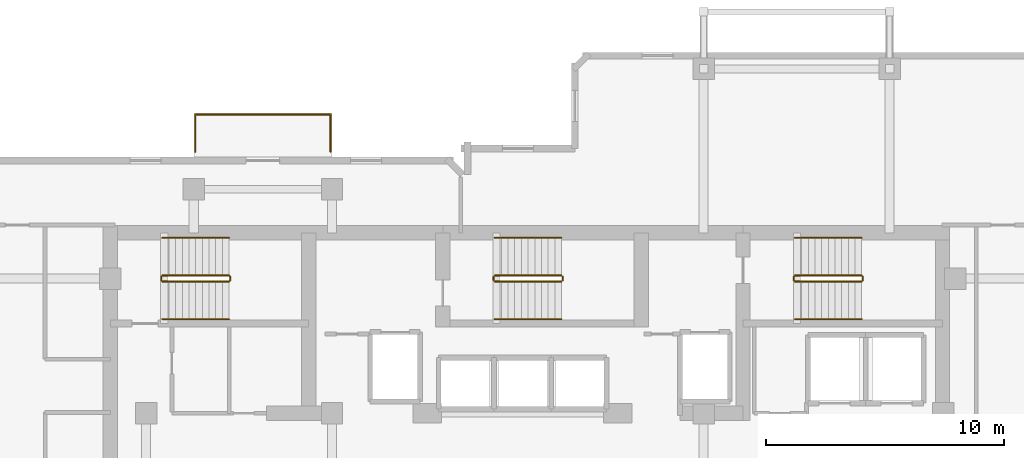
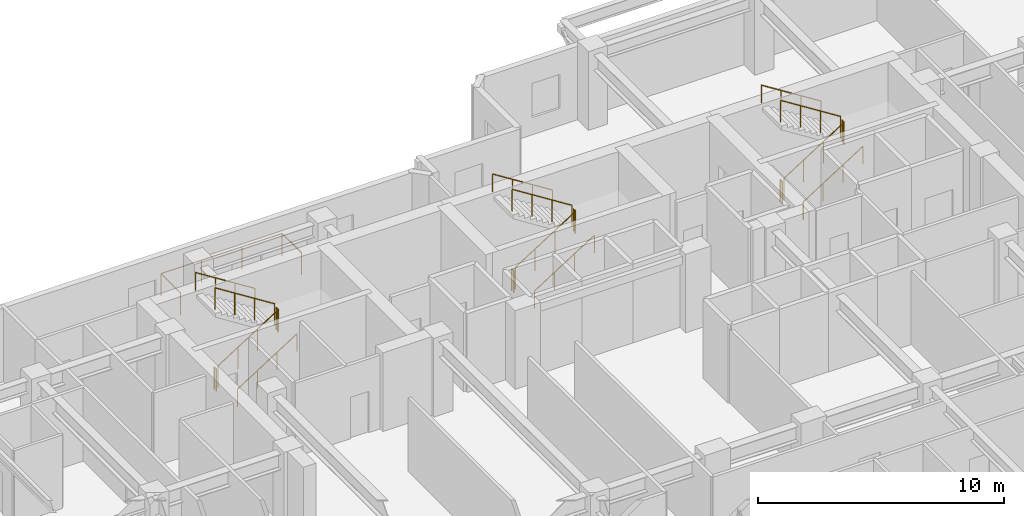
# One storey, part 10 of 10: 19 railings.
"""IFC4 building model written with IfcOpenShell, lengths in metres."""

from ifc_helpers import new_model, si_unit, direction, frame, origin, origin_2d, place, context, subcontext, project, spatial, circle, extrude, material, type_object, element, save


model = new_model("IFC4")

# Units and contexts
model_context = context("Model", 3, precision=1e-05, world=origin(), true_north=direction((0.0, 1.0)))
body_context = subcontext(model_context, "Body", "Model", "MODEL_VIEW")
ifc_project = project(units=[si_unit("LENGTHUNIT", "METRE"), si_unit("AREAUNIT", "SQUARE_METRE"), si_unit("VOLUMEUNIT", "CUBIC_METRE"), si_unit("PLANEANGLEUNIT", "RADIAN"), si_unit("MASSUNIT", "GRAM", prefix="KILO")], contexts=[model_context])

# Site, building, storey
site_placement = place(None, origin())
site = spatial("IfcSite", under=ifc_project, at=site_placement, CompositionType="ELEMENT")
building_placement = place(site_placement, origin())
building = spatial("IfcBuilding", under=site, at=building_placement, Name="Kestravale Grand Hotel", CompositionType="ELEMENT")
storey_placement = place(building_placement, frame((0.0, 0.0, 216.300048828125)))
storey = spatial("IfcBuildingStorey", under=building, at=storey_placement, Name="L54", CompositionType="ELEMENT", Elevation=216.300048828125)

# Railings
ifc_material_1 = material(Name="Champagne-bronze stainless steel and laminated glass guard", Category="steel")
railing_type_1 = type_object("IfcRailingType", Name="RL-EXT-1100", PredefinedType="GUARDRAIL", material=ifc_material_1)
railing_1_placement = place(storey_placement, frame((25.4599609375, 43.719970703125, 0.0)))
element("IfcRailing", 1, at=railing_1_placement, inside=storey, type_object=railing_type_1, Name="L54 outdoor terrace guard 1", PredefinedType="GUARDRAIL", context=body_context, shape_type="SweptSolid", body=[
    extrude(circle(Radius=0.02392578125, at=origin_2d()), frame((0.0, 0.0, 1.09619140625), z_axis=(0.0, 1.0, 0.0), x_axis=(-1.0, 0.0, 0.0)), (0.0, 0.0, 1.0), 1.570068359375),
    extrude(circle(Radius=0.02392578125, at=origin_2d()), frame((0.0, 1.570068359375, 1.09619140625), z_axis=(1.0, 0.0, 0.0), x_axis=(0.0, 1.0, 0.0)), (0.0, 0.0, 1.0), 5.679931640625),
    extrude(circle(Radius=0.02392578125, at=origin_2d()), frame((5.679931640625, 1.570068359375, 1.09619140625), z_axis=(0.0, -1.0, 0.0), x_axis=(1.0, 0.0, 0.0)), (0.0, 0.0, 1.0), 1.570068359375),
    extrude(circle(Radius=0.02099609375, at=origin_2d()), origin(), (0.0, 0.0, 1.0), 1.072021484375),
    extrude(circle(Radius=0.02099609375, at=origin_2d()), frame((0.0, 1.570068359375, 0.0)), (0.0, 0.0, 1.0), 1.072021484375),
    extrude(circle(Radius=0.02099609375, at=origin_2d()), frame((1.893310546875, 1.570068359375, 0.0)), (0.0, 0.0, 1.0), 1.072021484375),
    extrude(circle(Radius=0.02099609375, at=origin_2d()), frame((3.78662109375, 1.570068359375, 0.0)), (0.0, 0.0, 1.0), 1.072021484375),
    extrude(circle(Radius=0.02099609375, at=origin_2d()), frame((5.679931640625, 1.570068359375, 0.0)), (0.0, 0.0, 1.0), 1.072021484375),
    extrude(circle(Radius=0.02099609375, at=origin_2d()), frame((5.679931640625, 0.0, 0.0)), (0.0, 0.0, 1.0), 1.072021484375),
])
ifc_material_2 = material(Name="Painted tubular steel stair well guard", Category="steel")
railing_type_2 = type_object("IfcRailingType", Name="RL-ST-GRD1100", PredefinedType="GUARDRAIL", material=ifc_material_2)
railing_2_placement = place(storey_placement, frame((24.080078125, 38.280029296875, 0.17724609375)))
element("IfcRailing", 2, at=railing_2_placement, inside=storey, type_object=railing_type_2, Name="L54 ST-1 stair guard 1", PredefinedType="GUARDRAIL", context=body_context, shape_type="SweptSolid", body=[
    extrude(circle(Radius=0.02392578125, at=origin_2d()), frame((0.0, 0.0, 1.076171875), z_axis=(0.844887892834, 0.0, 0.53494340686), x_axis=(0.0, 1.0, 0.0)), (0.0, 0.0, 1.0), 3.313720703125),
    extrude(circle(Radius=0.02099609375, at=origin_2d()), origin(), (0.0, 0.0, 1.0), 1.052001953125),
    extrude(circle(Radius=0.02099609375, at=origin_2d()), frame((0.933349609375, 0.0, 0.5908203125)), (0.0, 0.0, 1.0), 1.052001953125),
    extrude(circle(Radius=0.02099609375, at=origin_2d()), frame((1.866455078125, 0.0, 1.181884765625)), (0.0, 0.0, 1.0), 1.052001953125),
    extrude(circle(Radius=0.02099609375, at=origin_2d()), frame((2.7998046875, 0.0, 1.772705078125)), (0.0, 0.0, 1.0), 1.052001953125),
])
railing_3_placement = place(storey_placement, frame((26.929931640625, 38.330078125, 1.949951171875)))
element("IfcRailing", 3, at=railing_3_placement, inside=storey, type_object=railing_type_2, Name="L54 ST-1 stair guard 2", PredefinedType="GUARDRAIL", context=body_context, shape_type="SweptSolid", body=[
    extrude(circle(Radius=0.02392578125, at=origin_2d()), frame((0.0, 0.0, 1.076171875), z_axis=(0.0, 1.0, 0.0), x_axis=(-1.0, 0.0, 0.0)), (0.0, 0.0, 1.0), 0.14990234375),
    extrude(circle(Radius=0.02099609375, at=origin_2d()), origin(), (0.0, 0.0, 1.0), 1.052001953125),
    extrude(circle(Radius=0.02099609375, at=origin_2d()), frame((0.0, 0.14990234375, 0.0)), (0.0, 0.0, 1.0), 1.052001953125),
])
railing_4_placement = place(storey_placement, frame((26.8798828125, 38.530029296875, 2.127197265625)))
element("IfcRailing", 4, at=railing_4_placement, inside=storey, type_object=railing_type_2, Name="L54 ST-1 stair guard 3", PredefinedType="GUARDRAIL", context=body_context, shape_type="SweptSolid", body=[
    extrude(circle(Radius=0.02392578125, at=origin_2d()), frame((0.0, 0.0, 1.076171875), z_axis=(-0.844887892834, 0.0, 0.53494340686), x_axis=(0.0, -1.0, 0.0)), (0.0, 0.0, 1.0), 3.313720703125),
    extrude(circle(Radius=0.02099609375, at=origin_2d()), origin(), (0.0, 0.0, 1.0), 1.052001953125),
    extrude(circle(Radius=0.02099609375, at=origin_2d()), frame((-0.933349609375, 0.0, 0.5908203125)), (0.0, 0.0, 1.0), 1.052001953125),
    extrude(circle(Radius=0.02099609375, at=origin_2d()), frame((-1.866455078125, 0.0, 1.181884765625)), (0.0, 0.0, 1.0), 1.052001953125),
    extrude(circle(Radius=0.02099609375, at=origin_2d()), frame((-2.7998046875, 0.0, 1.772705078125)), (0.0, 0.0, 1.0), 1.052001953125),
])
railing_5_placement = place(storey_placement, frame((24.030029296875, 38.330078125, 0.0)))
element("IfcRailing", 5, at=railing_5_placement, inside=storey, type_object=railing_type_2, Name="L54 ST-1 stair guard 4", PredefinedType="GUARDRAIL", context=body_context, shape_type="SweptSolid", body=[
    extrude(circle(Radius=0.02392578125, at=origin_2d()), frame((0.0, 0.0, 1.076171875), z_axis=(0.0, 1.0, 0.0), x_axis=(-1.0, 0.0, 0.0)), (0.0, 0.0, 1.0), 0.14990234375),
    extrude(circle(Radius=0.02099609375, at=origin_2d()), origin(), (0.0, 0.0, 1.0), 1.052001953125),
    extrude(circle(Radius=0.02099609375, at=origin_2d()), frame((0.0, 0.14990234375, 0.0)), (0.0, 0.0, 1.0), 1.052001953125),
])
railing_6_placement = place(storey_placement, frame((38.030029296875, 38.280029296875, 0.17724609375)))
element("IfcRailing", 6, at=railing_6_placement, inside=storey, type_object=railing_type_2, Name="L54 ST-2 stair guard 1", PredefinedType="GUARDRAIL", context=body_context, shape_type="SweptSolid", body=[
    extrude(circle(Radius=0.02392578125, at=origin_2d()), frame((0.0, 0.0, 1.076171875), z_axis=(0.844908973607, 0.0, 0.534910110503), x_axis=(0.0, 1.0, 0.0)), (0.0, 0.0, 1.0), 3.31396484375),
    extrude(circle(Radius=0.02099609375, at=origin_2d()), origin(), (0.0, 0.0, 1.0), 1.052001953125),
    extrude(circle(Radius=0.02099609375, at=origin_2d()), frame((0.933349609375, 0.0, 0.5908203125)), (0.0, 0.0, 1.0), 1.052001953125),
    extrude(circle(Radius=0.02099609375, at=origin_2d()), frame((1.86669921875, 0.0, 1.181884765625)), (0.0, 0.0, 1.0), 1.052001953125),
    extrude(circle(Radius=0.02099609375, at=origin_2d()), frame((2.800048828125, 0.0, 1.772705078125)), (0.0, 0.0, 1.0), 1.052001953125),
])
railing_7_placement = place(storey_placement, frame((40.8798828125, 38.330078125, 1.949951171875)))
element("IfcRailing", 7, at=railing_7_placement, inside=storey, type_object=railing_type_2, Name="L54 ST-2 stair guard 2", PredefinedType="GUARDRAIL", context=body_context, shape_type="SweptSolid", body=[
    extrude(circle(Radius=0.02392578125, at=origin_2d()), frame((0.0, 0.0, 1.076171875), z_axis=(0.0, 1.0, 0.0), x_axis=(-1.0, 0.0, 0.0)), (0.0, 0.0, 1.0), 0.14990234375),
    extrude(circle(Radius=0.02099609375, at=origin_2d()), origin(), (0.0, 0.0, 1.0), 1.052001953125),
    extrude(circle(Radius=0.02099609375, at=origin_2d()), frame((0.0, 0.14990234375, 0.0)), (0.0, 0.0, 1.0), 1.052001953125),
])
railing_8_placement = place(storey_placement, frame((40.830078125, 38.530029296875, 2.127197265625)))
element("IfcRailing", 8, at=railing_8_placement, inside=storey, type_object=railing_type_2, Name="L54 ST-2 stair guard 3", PredefinedType="GUARDRAIL", context=body_context, shape_type="SweptSolid", body=[
    extrude(circle(Radius=0.02392578125, at=origin_2d()), frame((0.0, 0.0, 1.076171875), z_axis=(-0.844908973607, 0.0, 0.534910110503), x_axis=(0.0, -1.0, 0.0)), (0.0, 0.0, 1.0), 3.31396484375),
    extrude(circle(Radius=0.02099609375, at=origin_2d()), origin(), (0.0, 0.0, 1.0), 1.052001953125),
    extrude(circle(Radius=0.02099609375, at=origin_2d()), frame((-0.933349609375, 0.0, 0.5908203125)), (0.0, 0.0, 1.0), 1.052001953125),
    extrude(circle(Radius=0.02099609375, at=origin_2d()), frame((-1.86669921875, 0.0, 1.181884765625)), (0.0, 0.0, 1.0), 1.052001953125),
    extrude(circle(Radius=0.02099609375, at=origin_2d()), frame((-2.800048828125, 0.0, 1.772705078125)), (0.0, 0.0, 1.0), 1.052001953125),
])
railing_9_placement = place(storey_placement, frame((37.97998046875, 38.330078125, 0.0)))
element("IfcRailing", 9, at=railing_9_placement, inside=storey, type_object=railing_type_2, Name="L54 ST-2 stair guard 4", PredefinedType="GUARDRAIL", context=body_context, shape_type="SweptSolid", body=[
    extrude(circle(Radius=0.02392578125, at=origin_2d()), frame((0.0, 0.0, 1.076171875), z_axis=(0.0, 1.0, 0.0), x_axis=(-1.0, 0.0, 0.0)), (0.0, 0.0, 1.0), 0.14990234375),
    extrude(circle(Radius=0.02099609375, at=origin_2d()), origin(), (0.0, 0.0, 1.0), 1.052001953125),
    extrude(circle(Radius=0.02099609375, at=origin_2d()), frame((0.0, 0.14990234375, 0.0)), (0.0, 0.0, 1.0), 1.052001953125),
])
railing_10_placement = place(storey_placement, frame((50.6298828125, 38.280029296875, 0.17724609375)))
element("IfcRailing", 10, at=railing_10_placement, inside=storey, type_object=railing_type_2, Name="L54 ST-3 stair guard 1", PredefinedType="GUARDRAIL", context=body_context, shape_type="SweptSolid", body=[
    extrude(circle(Radius=0.02392578125, at=origin_2d()), frame((0.0, 0.0, 1.076171875), z_axis=(0.844908973607, 0.0, 0.534910110503), x_axis=(0.0, 1.0, 0.0)), (0.0, 0.0, 1.0), 3.31396484375),
    extrude(circle(Radius=0.02099609375, at=origin_2d()), origin(), (0.0, 0.0, 1.0), 1.052001953125),
    extrude(circle(Radius=0.02099609375, at=origin_2d()), frame((0.933349609375, 0.0, 0.5908203125)), (0.0, 0.0, 1.0), 1.052001953125),
    extrude(circle(Radius=0.02099609375, at=origin_2d()), frame((1.86669921875, 0.0, 1.181884765625)), (0.0, 0.0, 1.0), 1.052001953125),
    extrude(circle(Radius=0.02099609375, at=origin_2d()), frame((2.800048828125, 0.0, 1.772705078125)), (0.0, 0.0, 1.0), 1.052001953125),
])
railing_11_placement = place(storey_placement, frame((53.47998046875, 38.330078125, 1.949951171875)))
element("IfcRailing", 11, at=railing_11_placement, inside=storey, type_object=railing_type_2, Name="L54 ST-3 stair guard 2", PredefinedType="GUARDRAIL", context=body_context, shape_type="SweptSolid", body=[
    extrude(circle(Radius=0.02392578125, at=origin_2d()), frame((0.0, 0.0, 1.076171875), z_axis=(0.0, 1.0, 0.0), x_axis=(-1.0, 0.0, 0.0)), (0.0, 0.0, 1.0), 0.14990234375),
    extrude(circle(Radius=0.02099609375, at=origin_2d()), origin(), (0.0, 0.0, 1.0), 1.052001953125),
    extrude(circle(Radius=0.02099609375, at=origin_2d()), frame((0.0, 0.14990234375, 0.0)), (0.0, 0.0, 1.0), 1.052001953125),
])
railing_12_placement = place(storey_placement, frame((53.429931640625, 38.530029296875, 2.127197265625)))
element("IfcRailing", 12, at=railing_12_placement, inside=storey, type_object=railing_type_2, Name="L54 ST-3 stair guard 3", PredefinedType="GUARDRAIL", context=body_context, shape_type="SweptSolid", body=[
    extrude(circle(Radius=0.02392578125, at=origin_2d()), frame((0.0, 0.0, 1.076171875), z_axis=(-0.844908973607, 0.0, 0.534910110503), x_axis=(0.0, -1.0, 0.0)), (0.0, 0.0, 1.0), 3.31396484375),
    extrude(circle(Radius=0.02099609375, at=origin_2d()), origin(), (0.0, 0.0, 1.0), 1.052001953125),
    extrude(circle(Radius=0.02099609375, at=origin_2d()), frame((-0.933349609375, 0.0, 0.5908203125)), (0.0, 0.0, 1.0), 1.052001953125),
    extrude(circle(Radius=0.02099609375, at=origin_2d()), frame((-1.86669921875, 0.0, 1.181884765625)), (0.0, 0.0, 1.0), 1.052001953125),
    extrude(circle(Radius=0.02099609375, at=origin_2d()), frame((-2.800048828125, 0.0, 1.772705078125)), (0.0, 0.0, 1.0), 1.052001953125),
])
railing_13_placement = place(storey_placement, frame((50.580078125, 38.330078125, 0.0)))
element("IfcRailing", 13, at=railing_13_placement, inside=storey, type_object=railing_type_2, Name="L54 ST-3 stair guard 4", PredefinedType="GUARDRAIL", context=body_context, shape_type="SweptSolid", body=[
    extrude(circle(Radius=0.02392578125, at=origin_2d()), frame((0.0, 0.0, 1.076171875), z_axis=(0.0, 1.0, 0.0), x_axis=(-1.0, 0.0, 0.0)), (0.0, 0.0, 1.0), 0.14990234375),
    extrude(circle(Radius=0.02099609375, at=origin_2d()), origin(), (0.0, 0.0, 1.0), 1.052001953125),
    extrude(circle(Radius=0.02099609375, at=origin_2d()), frame((0.0, 0.14990234375, 0.0)), (0.0, 0.0, 1.0), 1.052001953125),
])
ifc_material_3 = material(Name="Brushed stainless steel wall handrail", Category="steel")
railing_type_3 = type_object("IfcRailingType", Name="RL-ST-HND900", PredefinedType="HANDRAIL", material=ifc_material_3)
railing_14_placement = place(storey_placement, frame((24.080078125, 36.699951171875, 0.17724609375)))
element("IfcRailing", 14, at=railing_14_placement, inside=storey, type_object=railing_type_3, Name="L54 ST-1 stair handrail 1", PredefinedType="HANDRAIL", context=body_context, shape_type="SweptSolid", body=[
    extrude(circle(Radius=0.02392578125, at=origin_2d()), frame((0.0, 0.0, 0.8759765625), z_axis=(0.844887892834, 0.0, 0.53494340686), x_axis=(0.0, 1.0, 0.0)), (0.0, 0.0, 1.0), 3.313720703125),
    extrude(circle(Radius=0.02099609375, at=origin_2d()), origin(), (0.0, 0.0, 1.0), 0.851806640625),
    extrude(circle(Radius=0.02099609375, at=origin_2d()), frame((0.933349609375, 0.0, 0.5908203125)), (0.0, 0.0, 1.0), 0.851806640625),
    extrude(circle(Radius=0.02099609375, at=origin_2d()), frame((1.866455078125, 0.0, 1.181884765625)), (0.0, 0.0, 1.0), 0.851806640625),
    extrude(circle(Radius=0.02099609375, at=origin_2d()), frame((2.7998046875, 0.0, 1.772705078125)), (0.0, 0.0, 1.0), 0.851806640625),
])
railing_15_placement = place(storey_placement, frame((26.8798828125, 40.110107421875, 2.127197265625)))
element("IfcRailing", 15, at=railing_15_placement, inside=storey, type_object=railing_type_3, Name="L54 ST-1 stair handrail 2", PredefinedType="HANDRAIL", context=body_context, shape_type="SweptSolid", body=[
    extrude(circle(Radius=0.02392578125, at=origin_2d()), frame((0.0, 0.0, 0.8759765625), z_axis=(-0.844887892834, 0.0, 0.53494340686), x_axis=(0.0, -1.0, 0.0)), (0.0, 0.0, 1.0), 3.313720703125),
    extrude(circle(Radius=0.02099609375, at=origin_2d()), origin(), (0.0, 0.0, 1.0), 0.851806640625),
    extrude(circle(Radius=0.02099609375, at=origin_2d()), frame((-0.933349609375, 0.0, 0.5908203125)), (0.0, 0.0, 1.0), 0.851806640625),
    extrude(circle(Radius=0.02099609375, at=origin_2d()), frame((-1.866455078125, 0.0, 1.181884765625)), (0.0, 0.0, 1.0), 0.851806640625),
    extrude(circle(Radius=0.02099609375, at=origin_2d()), frame((-2.7998046875, 0.0, 1.772705078125)), (0.0, 0.0, 1.0), 0.851806640625),
])
railing_16_placement = place(storey_placement, frame((38.030029296875, 36.699951171875, 0.17724609375)))
element("IfcRailing", 16, at=railing_16_placement, inside=storey, type_object=railing_type_3, Name="L54 ST-2 stair handrail 1", PredefinedType="HANDRAIL", context=body_context, shape_type="SweptSolid", body=[
    extrude(circle(Radius=0.02392578125, at=origin_2d()), frame((0.0, 0.0, 0.8759765625), z_axis=(0.844908973607, 0.0, 0.534910110503), x_axis=(0.0, 1.0, 0.0)), (0.0, 0.0, 1.0), 3.31396484375),
    extrude(circle(Radius=0.02099609375, at=origin_2d()), origin(), (0.0, 0.0, 1.0), 0.851806640625),
    extrude(circle(Radius=0.02099609375, at=origin_2d()), frame((0.933349609375, 0.0, 0.5908203125)), (0.0, 0.0, 1.0), 0.851806640625),
    extrude(circle(Radius=0.02099609375, at=origin_2d()), frame((1.86669921875, 0.0, 1.181884765625)), (0.0, 0.0, 1.0), 0.851806640625),
    extrude(circle(Radius=0.02099609375, at=origin_2d()), frame((2.800048828125, 0.0, 1.772705078125)), (0.0, 0.0, 1.0), 0.851806640625),
])
railing_17_placement = place(storey_placement, frame((40.830078125, 40.110107421875, 2.127197265625)))
element("IfcRailing", 17, at=railing_17_placement, inside=storey, type_object=railing_type_3, Name="L54 ST-2 stair handrail 2", PredefinedType="HANDRAIL", context=body_context, shape_type="SweptSolid", body=[
    extrude(circle(Radius=0.02392578125, at=origin_2d()), frame((0.0, 0.0, 0.8759765625), z_axis=(-0.844908973607, 0.0, 0.534910110503), x_axis=(0.0, -1.0, 0.0)), (0.0, 0.0, 1.0), 3.31396484375),
    extrude(circle(Radius=0.02099609375, at=origin_2d()), origin(), (0.0, 0.0, 1.0), 0.851806640625),
    extrude(circle(Radius=0.02099609375, at=origin_2d()), frame((-0.933349609375, 0.0, 0.5908203125)), (0.0, 0.0, 1.0), 0.851806640625),
    extrude(circle(Radius=0.02099609375, at=origin_2d()), frame((-1.86669921875, 0.0, 1.181884765625)), (0.0, 0.0, 1.0), 0.851806640625),
    extrude(circle(Radius=0.02099609375, at=origin_2d()), frame((-2.800048828125, 0.0, 1.772705078125)), (0.0, 0.0, 1.0), 0.851806640625),
])
railing_18_placement = place(storey_placement, frame((50.6298828125, 36.699951171875, 0.17724609375)))
element("IfcRailing", 18, at=railing_18_placement, inside=storey, type_object=railing_type_3, Name="L54 ST-3 stair handrail 1", PredefinedType="HANDRAIL", context=body_context, shape_type="SweptSolid", body=[
    extrude(circle(Radius=0.02392578125, at=origin_2d()), frame((0.0, 0.0, 0.8759765625), z_axis=(0.844908973607, 0.0, 0.534910110503), x_axis=(0.0, 1.0, 0.0)), (0.0, 0.0, 1.0), 3.31396484375),
    extrude(circle(Radius=0.02099609375, at=origin_2d()), origin(), (0.0, 0.0, 1.0), 0.851806640625),
    extrude(circle(Radius=0.02099609375, at=origin_2d()), frame((0.933349609375, 0.0, 0.5908203125)), (0.0, 0.0, 1.0), 0.851806640625),
    extrude(circle(Radius=0.02099609375, at=origin_2d()), frame((1.86669921875, 0.0, 1.181884765625)), (0.0, 0.0, 1.0), 0.851806640625),
    extrude(circle(Radius=0.02099609375, at=origin_2d()), frame((2.800048828125, 0.0, 1.772705078125)), (0.0, 0.0, 1.0), 0.851806640625),
])
railing_19_placement = place(storey_placement, frame((53.429931640625, 40.110107421875, 2.127197265625)))
element("IfcRailing", 19, at=railing_19_placement, inside=storey, type_object=railing_type_3, Name="L54 ST-3 stair handrail 2", PredefinedType="HANDRAIL", context=body_context, shape_type="SweptSolid", body=[
    extrude(circle(Radius=0.02392578125, at=origin_2d()), frame((0.0, 0.0, 0.8759765625), z_axis=(-0.844908973607, 0.0, 0.534910110503), x_axis=(0.0, -1.0, 0.0)), (0.0, 0.0, 1.0), 3.31396484375),
    extrude(circle(Radius=0.02099609375, at=origin_2d()), origin(), (0.0, 0.0, 1.0), 0.851806640625),
    extrude(circle(Radius=0.02099609375, at=origin_2d()), frame((-0.933349609375, 0.0, 0.5908203125)), (0.0, 0.0, 1.0), 0.851806640625),
    extrude(circle(Radius=0.02099609375, at=origin_2d()), frame((-1.86669921875, 0.0, 1.181884765625)), (0.0, 0.0, 1.0), 0.851806640625),
    extrude(circle(Radius=0.02099609375, at=origin_2d()), frame((-2.800048828125, 0.0, 1.772705078125)), (0.0, 0.0, 1.0), 0.851806640625),
])

save(model, "model.ifc")
